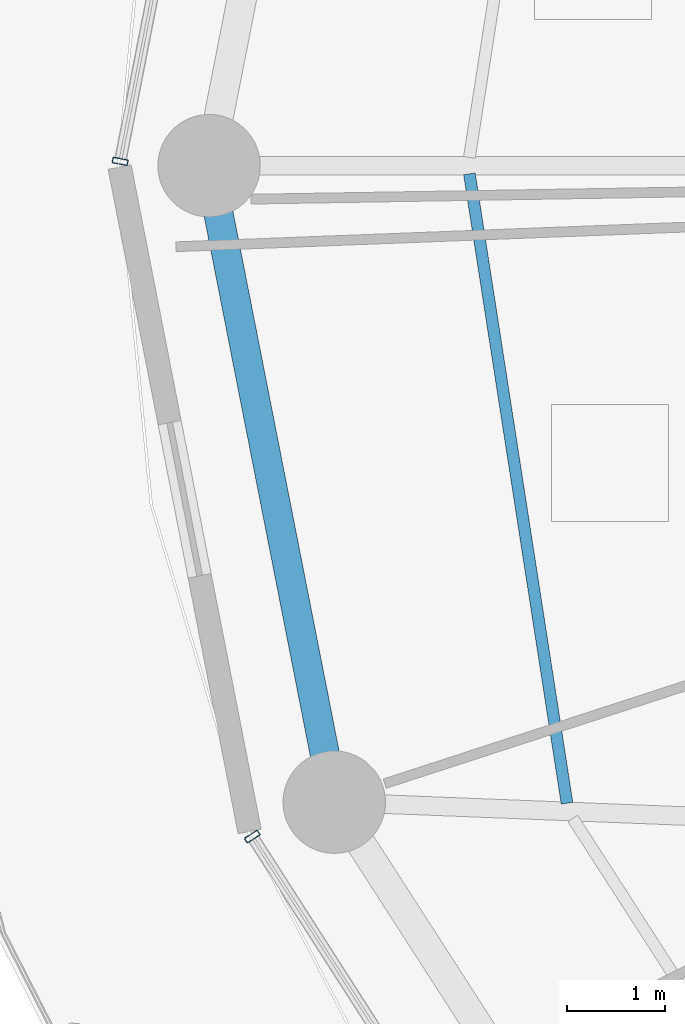
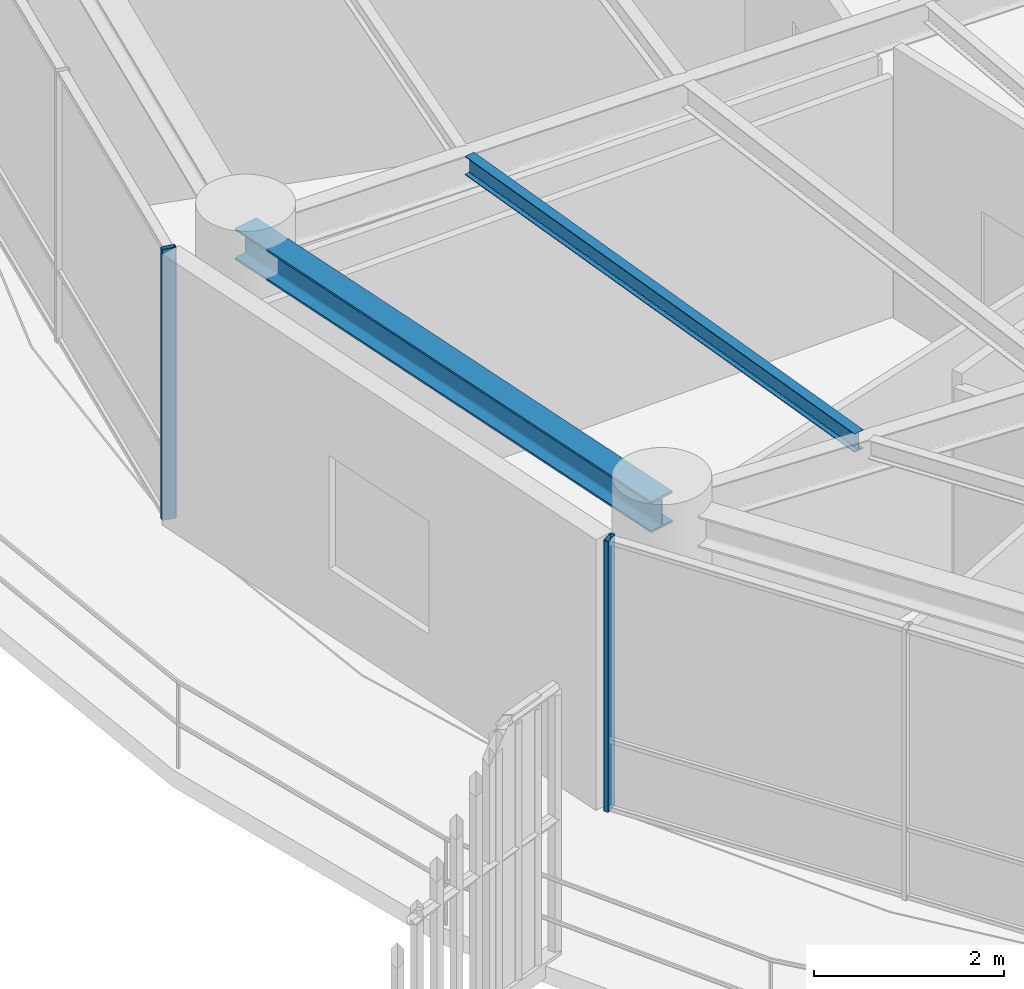
# One storey, part 6 of 30: 2 beams, 2 members, 2 elements without a shape of their own.
"""IFC4 building model written with IfcOpenShell, lengths in metres."""

from ifc_helpers import new_model, si_unit, direction, frame, origin, origin_2d, place, context, subcontext, project, spatial, hollow_rectangle, i_section, extrude, material, layer, layer_set, material_profile, profile_set, type_object, element, aggregate, save


model = new_model("IFC4")

# Units and contexts
model_context = context("Model", 3, precision=1e-05, world=origin(), true_north=direction((0.0, 1.0)))
body_context = subcontext(model_context, "Body", "Model", "MODEL_VIEW")
ifc_project = project(units=[si_unit("LENGTHUNIT", "METRE"), si_unit("AREAUNIT", "SQUARE_METRE"), si_unit("VOLUMEUNIT", "CUBIC_METRE"), si_unit("PLANEANGLEUNIT", "RADIAN"), si_unit("MASSUNIT", "GRAM", prefix="KILO")], contexts=[model_context])

# Site, building, storey
site_placement = place(None, origin())
site = spatial("IfcSite", under=ifc_project, at=site_placement, CompositionType="ELEMENT")
building_placement = place(site_placement, origin())
building = spatial("IfcBuilding", under=site, at=building_placement, Name="Kelanora Arch Commons", CompositionType="ELEMENT")
storey_placement = place(building_placement, frame((0.0, 0.0, 208.199951171875)))
storey = spatial("IfcBuildingStorey", under=building, at=storey_placement, Name="L53", CompositionType="ELEMENT", Elevation=208.199951171875)

# Beams
ifc_material_1 = material(Name="Steel S355", Category="steel")
ifc_material_profile_1 = material_profile(ifc_material_1, i_section(OverallWidth=0.1201171875, OverallDepth=0.239990234375, WebThickness=0.006103515625, FlangeThickness=0.009765625, FilletRadius=0.014892578125, at=origin_2d()), Name="IPE240")
ifc_profile_set_1 = profile_set([ifc_material_profile_1], Name="Steel S355")
beam_type_1 = type_object("IfcBeamType", Name="BM-JST-02", PredefinedType="JOIST", material=ifc_profile_set_1)
beam_1_placement = place(storey_placement, frame((55.388916015625, 57.916015625, 3.3701171875), z_axis=(0.153256756152, -0.988186402808, 0.0), x_axis=(0.988186402808, 0.153256756152, 0.0)))
element("IfcBeam", 1, at=beam_1_placement, inside=storey, type_object=beam_type_1, Name="Secondary Chord Joist BJC-18 L53", PredefinedType="JOIST", context=body_context, shape_type="SweptSolid", body=[
    extrude(i_section(OverallWidth=0.1201171875, OverallDepth=0.239990234375, WebThickness=0.006103515625, FlangeThickness=0.009765625, FilletRadius=0.014892578125, at=origin_2d()), origin(), (0.0, 0.0, 1.0), 6.52978515625),
])
ifc_material_profile_2 = material_profile(ifc_material_1, i_section(OverallWidth=0.300048828125, OverallDepth=0.39990234375, WebThickness=0.013427734375, FlangeThickness=0.02392578125, FilletRadius=0.027099609375, at=origin_2d()), Name="HEB400")
ifc_profile_set_2 = profile_set([ifc_material_profile_2], Name="Steel S355")
beam_type_2 = type_object("IfcBeamType", Name="BM-SPN-Z4", PredefinedType="SPANDREL", material=ifc_profile_set_2)
beam_2_placement = place(storey_placement, frame((52.719970703125, 58.0, 3.2900390625), z_axis=(0.192980724826, -0.981202547819, 0.0), x_axis=(0.981202547819, 0.192980724826, 0.0)))
element("IfcBeam", 2, at=beam_2_placement, inside=storey, type_object=beam_type_2, Name="Perimeter Spandrel Beam BS-18 L53", PredefinedType="SPANDREL", context=body_context, shape_type="SweptSolid", body=[
    extrude(i_section(OverallWidth=0.300048828125, OverallDepth=0.39990234375, WebThickness=0.013427734375, FlangeThickness=0.02392578125, FilletRadius=0.027099609375, at=origin_2d()), origin(), (0.0, 0.0, 1.0), 6.650634765625),
])

# Curtain wall, member
ifc_material_2 = material(Name="Terracotta ceramic-fritted low-E glass and aluminium", Category="masonry")
ifc_layer = layer(ifc_material_2, 0.175048828125)
ifc_layer_set = layer_set([ifc_layer], Name="Terracotta ceramic-fritted low-E glass and aluminium")
curtain_wall_type = type_object("IfcCurtainWallType", Name="CW-SYS-02", PredefinedType="NOTDEFINED", material=ifc_layer_set)
curtain_wall_1_placement = place(storey_placement, origin())
curtain_wall_1 = element("IfcCurtainWall", 3, at=curtain_wall_1_placement, inside=storey, type_object=curtain_wall_type, Name="Unitised Curtain Wall L53-B08", PredefinedType="NOTDEFINED")
ifc_material_3 = material(Name="Powder-coated aluminium terracotta", Category="masonry")
ifc_material_profile_3 = material_profile(ifc_material_3, hollow_rectangle(XDim=0.159912109375, YDim=0.06005859375, WallThickness=0.0048828125, InnerFilletRadius=0.0048828125, OuterFilletRadius=0.010009765625, at=origin_2d()), Name="CWM160x60")
ifc_profile_set_3 = profile_set([ifc_material_profile_3], Name="Powder-coated aluminium terracotta")
member_type = type_object("IfcMemberType", Name="CWM-STD", PredefinedType="MULLION", material=ifc_profile_set_3)
member_1_placement = place(storey_placement, frame((51.80859375, 58.044189453125, 0.0), z_axis=(0.0, 0.0, 1.0), x_axis=(0.981381438349, -0.192068926335, 0.0)))
member_1 = element("IfcMember", 4, at=member_1_placement, type_object=member_type, Name="CW-02 mullion 3", PredefinedType="MULLION", context=body_context, shape_type="SweptSolid", body=[
    extrude(hollow_rectangle(XDim=0.159912109375, YDim=0.06005859375, WallThickness=0.0048828125, InnerFilletRadius=0.0048828125, OuterFilletRadius=0.010009765625, at=origin_2d()), origin(), (0.0, 0.0, 1.0), 3.47509765625),
])
aggregate(curtain_wall_1, [member_1])

curtain_wall_2_placement = place(storey_placement, origin())
curtain_wall_2 = element("IfcCurtainWall", 5, at=curtain_wall_2_placement, inside=storey, type_object=curtain_wall_type, Name="Unitised Curtain Wall L53-B10", PredefinedType="NOTDEFINED")
member_2_placement = place(storey_placement, frame((53.1630859375, 51.121826171875, 0.0), z_axis=(0.0, 0.0, 1.0), x_axis=(0.84194757539, 0.539559338994, 0.0)))
member_2 = element("IfcMember", 6, at=member_2_placement, type_object=member_type, Name="CW-02 mullion 1", PredefinedType="MULLION", context=body_context, shape_type="SweptSolid", body=[
    extrude(hollow_rectangle(XDim=0.159912109375, YDim=0.06005859375, WallThickness=0.0048828125, InnerFilletRadius=0.0048828125, OuterFilletRadius=0.010009765625, at=origin_2d()), origin(), (0.0, 0.0, 1.0), 3.47509765625),
])
aggregate(curtain_wall_2, [member_2])

save(model, "model.ifc")
